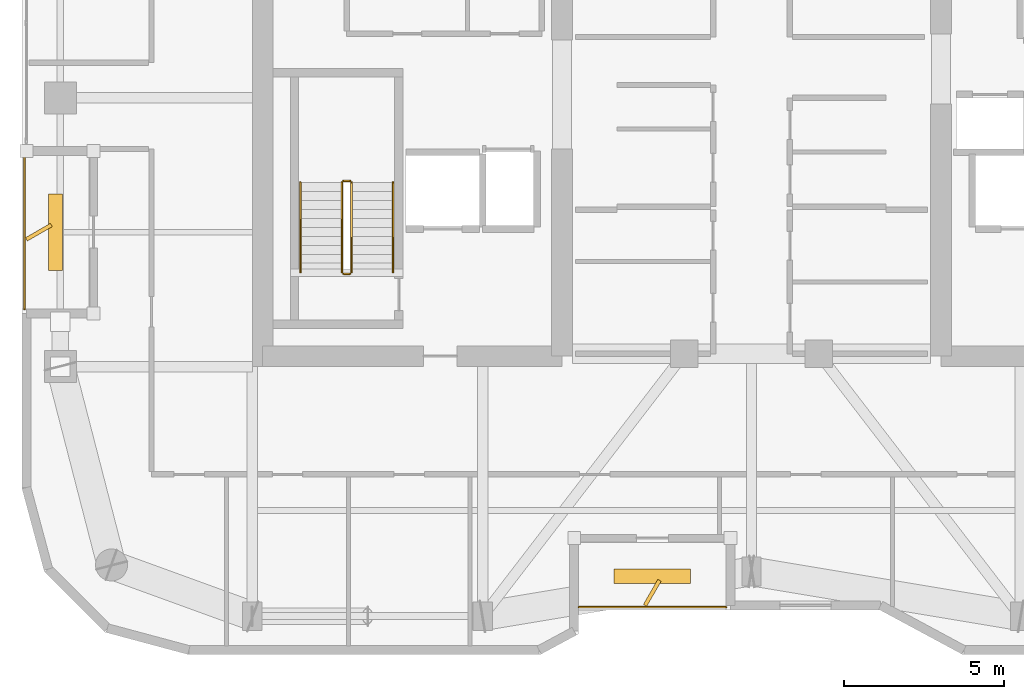
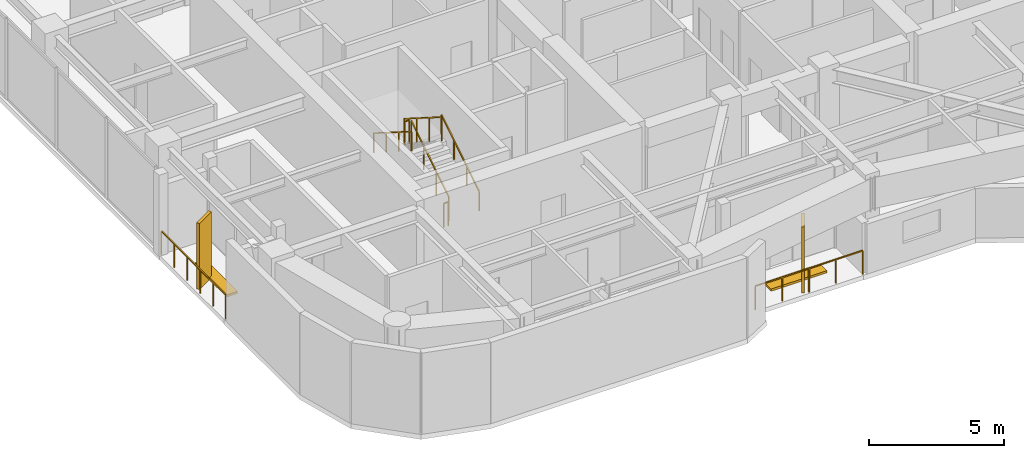
# One storey, part 20 of 22: 8 railings, 4 shading devices.
"""IFC4 building model written with IfcOpenShell, lengths in metres."""

from ifc_helpers import new_model, si_unit, direction, frame, origin, origin_2d, place, context, subcontext, project, spatial, rectangle, extrude, material, type_object, element, save


model = new_model("IFC4")

# Units and contexts
model_context = context("Model", 3, precision=1e-05, world=origin(), true_north=direction((0.0, 1.0)))
body_context = subcontext(model_context, "Body", "Model", "MODEL_VIEW")
ifc_project = project(units=[si_unit("LENGTHUNIT", "METRE"), si_unit("AREAUNIT", "SQUARE_METRE"), si_unit("VOLUMEUNIT", "CUBIC_METRE"), si_unit("PLANEANGLEUNIT", "RADIAN"), si_unit("MASSUNIT", "GRAM", prefix="KILO")], contexts=[model_context])

# Site, building, storey
site_placement = place(None, origin())
site = spatial("IfcSite", under=ifc_project, at=site_placement, CompositionType="ELEMENT")
building_placement = place(site_placement, origin())
building = spatial("IfcBuilding", under=site, at=building_placement, Name="Kiyonajd Concourse Tower", CompositionType="ELEMENT")
storey_placement = place(building_placement, frame((0.0, 0.0, 243.300048828125)))
storey = spatial("IfcBuildingStorey", under=building, at=storey_placement, Name="L61", CompositionType="ELEMENT", Elevation=243.300048828125)

# Railings
ifc_material_1 = material(Name="Thermally Broken Anodised Aluminium", Category="aluminium")
railing_type_1 = type_object("IfcRailingType", Name="RL-GRD-LOG", PredefinedType="GUARDRAIL", material=ifc_material_1)
railing_1_placement = place(storey_placement, frame((42.60009765625, 20.080078125, 0.0)))
element("IfcRailing", 1, at=railing_1_placement, inside=storey, type_object=railing_type_1, Name="L61 Engawa Loggia Perimeter Guard LOG-S", PredefinedType="GUARDRAIL", context=body_context, shape_type="SweptSolid", body=[
    extrude(rectangle(XDim=0.048095703125, YDim=0.048095703125, at=origin_2d()), frame((0.0, 0.0, 1.076171875), z_axis=(1.0, 0.0, 0.0), x_axis=(0.0, 1.0, 0.0)), (0.0, 0.0, 1.0), 4.599853515625),
    extrude(rectangle(XDim=0.0419921875, YDim=0.0419921875, at=origin_2d()), origin(), (0.0, 0.0, 1.0), 1.052001953125),
    extrude(rectangle(XDim=0.0419921875, YDim=0.0419921875, at=origin_2d()), frame((1.14990234375, 0.0, 0.0)), (0.0, 0.0, 1.0), 1.052001953125),
    extrude(rectangle(XDim=0.0419921875, YDim=0.0419921875, at=origin_2d()), frame((2.2998046875, 0.0, 0.0)), (0.0, 0.0, 1.0), 1.052001953125),
    extrude(rectangle(XDim=0.0419921875, YDim=0.0419921875, at=origin_2d()), frame((3.449951171875, 0.0, 0.0)), (0.0, 0.0, 1.0), 1.052001953125),
    extrude(rectangle(XDim=0.0419921875, YDim=0.0419921875, at=origin_2d()), frame((4.599853515625, 0.0, 0.0)), (0.0, 0.0, 1.0), 1.052001953125),
])
railing_2_placement = place(storey_placement, frame((25.280029296875, 34.199951171875, 0.0)))
element("IfcRailing", 2, at=railing_2_placement, inside=storey, type_object=railing_type_1, Name="L61 Engawa Loggia Perimeter Guard LOG-W", PredefinedType="GUARDRAIL", context=body_context, shape_type="SweptSolid", body=[
    extrude(rectangle(XDim=0.048095703125, YDim=0.048095703125, at=origin_2d()), frame((0.0, 0.0, 1.076171875), z_axis=(0.0, -1.0, 0.0), x_axis=(1.0, 0.0, 0.0)), (0.0, 0.0, 1.0), 4.800048828125),
    extrude(rectangle(XDim=0.0419921875, YDim=0.0419921875, at=origin_2d()), origin(), (0.0, 0.0, 1.0), 1.052001953125),
    extrude(rectangle(XDim=0.0419921875, YDim=0.0419921875, at=origin_2d()), frame((0.0, -0.9599609375, 0.0)), (0.0, 0.0, 1.0), 1.052001953125),
    extrude(rectangle(XDim=0.0419921875, YDim=0.0419921875, at=origin_2d()), frame((0.0, -1.919921875, 0.0)), (0.0, 0.0, 1.0), 1.052001953125),
    extrude(rectangle(XDim=0.0419921875, YDim=0.0419921875, at=origin_2d()), frame((0.0, -2.880126953125, 0.0)), (0.0, 0.0, 1.0), 1.052001953125),
    extrude(rectangle(XDim=0.0419921875, YDim=0.0419921875, at=origin_2d()), frame((0.0, -3.840087890625, 0.0)), (0.0, 0.0, 1.0), 1.052001953125),
    extrude(rectangle(XDim=0.0419921875, YDim=0.0419921875, at=origin_2d()), frame((0.0, -4.800048828125, 0.0)), (0.0, 0.0, 1.0), 1.052001953125),
])
ifc_material_2 = material(Name="Steel ASTM A500 Grade C", Category="steel")
railing_type_2 = type_object("IfcRailingType", Name="RL-GRD-STR", PredefinedType="GUARDRAIL", material=ifc_material_2)
railing_3_placement = place(storey_placement, frame((35.5, 30.550048828125, 0.17724609375)))
element("IfcRailing", 3, at=railing_3_placement, inside=storey, type_object=railing_type_2, Name="L61 ST1 stair guard 1", PredefinedType="GUARDRAIL", context=body_context, shape_type="SweptSolid", body=[
    extrude(rectangle(XDim=0.048095703125, YDim=0.048095703125, at=origin_2d()), frame((0.0, 0.0, 1.076171875), z_axis=(0.0, 0.844908973607, 0.534910110503), x_axis=(-1.0, 0.0, 0.0)), (0.0, 0.0, 1.0), 3.31396484375),
    extrude(rectangle(XDim=0.0419921875, YDim=0.0419921875, at=origin_2d()), origin(), (0.0, 0.0, 1.0), 1.052001953125),
    extrude(rectangle(XDim=0.0419921875, YDim=0.0419921875, at=origin_2d()), frame((0.0, 0.933349609375, 0.5908203125)), (0.0, 0.0, 1.0), 1.052001953125),
    extrude(rectangle(XDim=0.0419921875, YDim=0.0419921875, at=origin_2d()), frame((0.0, 1.86669921875, 1.181884765625)), (0.0, 0.0, 1.0), 1.052001953125),
    extrude(rectangle(XDim=0.0419921875, YDim=0.0419921875, at=origin_2d()), frame((0.0, 2.800048828125, 1.772705078125)), (0.0, 0.0, 1.0), 1.052001953125),
])
railing_4_placement = place(storey_placement, frame((35.449951171875, 33.39990234375, 1.949951171875)))
element("IfcRailing", 4, at=railing_4_placement, inside=storey, type_object=railing_type_2, Name="L61 ST1 stair guard 2", PredefinedType="GUARDRAIL", context=body_context, shape_type="SweptSolid", body=[
    extrude(rectangle(XDim=0.048095703125, YDim=0.048095703125, at=origin_2d()), frame((0.0, 0.0, 1.076171875), z_axis=(-1.0, 0.0, 0.0), x_axis=(0.0, -1.0, 0.0)), (0.0, 0.0, 1.0), 0.199951171875),
    extrude(rectangle(XDim=0.0419921875, YDim=0.0419921875, at=origin_2d()), origin(), (0.0, 0.0, 1.0), 1.052001953125),
    extrude(rectangle(XDim=0.0419921875, YDim=0.0419921875, at=origin_2d()), frame((-0.199951171875, 0.0, 0.0)), (0.0, 0.0, 1.0), 1.052001953125),
])
railing_5_placement = place(storey_placement, frame((35.199951171875, 33.35009765625, 2.127197265625)))
element("IfcRailing", 5, at=railing_5_placement, inside=storey, type_object=railing_type_2, Name="L61 ST1 stair guard 3", PredefinedType="GUARDRAIL", context=body_context, shape_type="SweptSolid", body=[
    extrude(rectangle(XDim=0.048095703125, YDim=0.048095703125, at=origin_2d()), frame((0.0, 0.0, 1.076171875), z_axis=(0.0, -0.844908973607, 0.534910110503), x_axis=(1.0, 0.0, 0.0)), (0.0, 0.0, 1.0), 3.31396484375),
    extrude(rectangle(XDim=0.0419921875, YDim=0.0419921875, at=origin_2d()), origin(), (0.0, 0.0, 1.0), 1.052001953125),
    extrude(rectangle(XDim=0.0419921875, YDim=0.0419921875, at=origin_2d()), frame((0.0, -0.933349609375, 0.5908203125)), (0.0, 0.0, 1.0), 1.052001953125),
    extrude(rectangle(XDim=0.0419921875, YDim=0.0419921875, at=origin_2d()), frame((0.0, -1.86669921875, 1.181884765625)), (0.0, 0.0, 1.0), 1.052001953125),
    extrude(rectangle(XDim=0.0419921875, YDim=0.0419921875, at=origin_2d()), frame((0.0, -2.800048828125, 1.772705078125)), (0.0, 0.0, 1.0), 1.052001953125),
])
railing_6_placement = place(storey_placement, frame((35.449951171875, 30.5, 0.0)))
element("IfcRailing", 6, at=railing_6_placement, inside=storey, type_object=railing_type_2, Name="L61 ST1 stair guard 4", PredefinedType="GUARDRAIL", context=body_context, shape_type="SweptSolid", body=[
    extrude(rectangle(XDim=0.048095703125, YDim=0.048095703125, at=origin_2d()), frame((0.0, 0.0, 1.076171875), z_axis=(-1.0, 0.0, 0.0), x_axis=(0.0, -1.0, 0.0)), (0.0, 0.0, 1.0), 0.199951171875),
    extrude(rectangle(XDim=0.0419921875, YDim=0.0419921875, at=origin_2d()), origin(), (0.0, 0.0, 1.0), 1.052001953125),
    extrude(rectangle(XDim=0.0419921875, YDim=0.0419921875, at=origin_2d()), frame((-0.199951171875, 0.0, 0.0)), (0.0, 0.0, 1.0), 1.052001953125),
])
ifc_material_3 = material(Name="Brushed Stainless Steel Cab Assembly", Category="steel")
railing_type_3 = type_object("IfcRailingType", Name="RL-HND-900", PredefinedType="HANDRAIL", material=ifc_material_3)
railing_7_placement = place(storey_placement, frame((36.800048828125, 30.550048828125, 0.17724609375)))
element("IfcRailing", 7, at=railing_7_placement, inside=storey, type_object=railing_type_3, Name="L61 ST1 stair handrail 1", PredefinedType="HANDRAIL", context=body_context, shape_type="SweptSolid", body=[
    extrude(rectangle(XDim=0.048095703125, YDim=0.048095703125, at=origin_2d()), frame((0.0, 0.0, 0.8759765625), z_axis=(0.0, 0.844908973607, 0.534910110503), x_axis=(-1.0, 0.0, 0.0)), (0.0, 0.0, 1.0), 3.31396484375),
    extrude(rectangle(XDim=0.0419921875, YDim=0.0419921875, at=origin_2d()), origin(), (0.0, 0.0, 1.0), 0.851806640625),
    extrude(rectangle(XDim=0.0419921875, YDim=0.0419921875, at=origin_2d()), frame((0.0, 0.933349609375, 0.5908203125)), (0.0, 0.0, 1.0), 0.851806640625),
    extrude(rectangle(XDim=0.0419921875, YDim=0.0419921875, at=origin_2d()), frame((0.0, 1.86669921875, 1.181884765625)), (0.0, 0.0, 1.0), 0.851806640625),
    extrude(rectangle(XDim=0.0419921875, YDim=0.0419921875, at=origin_2d()), frame((0.0, 2.800048828125, 1.772705078125)), (0.0, 0.0, 1.0), 0.851806640625),
])
railing_8_placement = place(storey_placement, frame((33.89990234375, 33.35009765625, 2.127197265625)))
element("IfcRailing", 8, at=railing_8_placement, inside=storey, type_object=railing_type_3, Name="L61 ST1 stair handrail 2", PredefinedType="HANDRAIL", context=body_context, shape_type="SweptSolid", body=[
    extrude(rectangle(XDim=0.048095703125, YDim=0.048095703125, at=origin_2d()), frame((0.0, 0.0, 0.8759765625), z_axis=(0.0, -0.844908973607, 0.534910110503), x_axis=(1.0, 0.0, 0.0)), (0.0, 0.0, 1.0), 3.31396484375),
    extrude(rectangle(XDim=0.0419921875, YDim=0.0419921875, at=origin_2d()), origin(), (0.0, 0.0, 1.0), 0.851806640625),
    extrude(rectangle(XDim=0.0419921875, YDim=0.0419921875, at=origin_2d()), frame((0.0, -0.933349609375, 0.5908203125)), (0.0, 0.0, 1.0), 0.851806640625),
    extrude(rectangle(XDim=0.0419921875, YDim=0.0419921875, at=origin_2d()), frame((0.0, -1.86669921875, 1.181884765625)), (0.0, 0.0, 1.0), 0.851806640625),
    extrude(rectangle(XDim=0.0419921875, YDim=0.0419921875, at=origin_2d()), frame((0.0, -2.800048828125, 1.772705078125)), (0.0, 0.0, 1.0), 0.851806640625),
])

# Shading devices
ifc_material_4 = material(Name="Precast concrete C50/60", Category="concrete")
shading_device_type_1 = type_object("IfcShadingDeviceType", Name="SH-FIN-900", PredefinedType="USERDEFINED", material=ifc_material_4)
for number, where, z_axis, x_axis, name in (
    (9, (44.89990234375, 20.530029296875, 0.0), (0.0, 0.0, 1.0), (0.5, 0.866025403784, 0.0), "L61 Angled Koshi Solar Fin LOG-S"),
    (10, (25.72998046875, 31.800048828125, 0.0), (0.0, 0.0, 1.0), (0.866025403784, 0.5, 0.0), "L61 Angled Koshi Solar Fin LOG-W"),
):
    element("IfcShadingDevice", number, at=place(storey_placement, frame(where, z_axis=z_axis, x_axis=x_axis)), inside=storey, type_object=shading_device_type_1, Name=name, ObjectType="FIN", PredefinedType="USERDEFINED", context=body_context, shape_type="SweptSolid", body=[
        extrude(rectangle(XDim=0.89990234375, YDim=0.1201171875, at=origin_2d()), origin(), (0.0, 0.0, 1.0), 3.0),
    ])
shading_device_type_2 = type_object("IfcShadingDeviceType", Name="SH-LVR-600", PredefinedType="JALOUSIE", material=ifc_material_1)
for number, where, z_axis, x_axis, name in (
    (11, (44.89990234375, 21.050048828125, 0.0), (0.0, 0.0, 1.0), (1.0, 0.0, 0.0), "L61 Loggia Threshold Louver LOG-S"),
    (12, (26.25, 31.800048828125, 0.0), (0.0, 0.0, 1.0), (0.0, 1.0, 0.0), "L61 Loggia Threshold Louver LOG-W"),
):
    element("IfcShadingDevice", number, at=place(storey_placement, frame(where, z_axis=z_axis, x_axis=x_axis)), inside=storey, type_object=shading_device_type_2, Name=name, PredefinedType="JALOUSIE", context=body_context, shape_type="SweptSolid", body=[
        extrude(rectangle(XDim=2.39990234375, YDim=0.449951171875, at=origin_2d()), origin(), (0.0, 0.0, 1.0), 0.10009765625),
    ])

save(model, "model.ifc")
